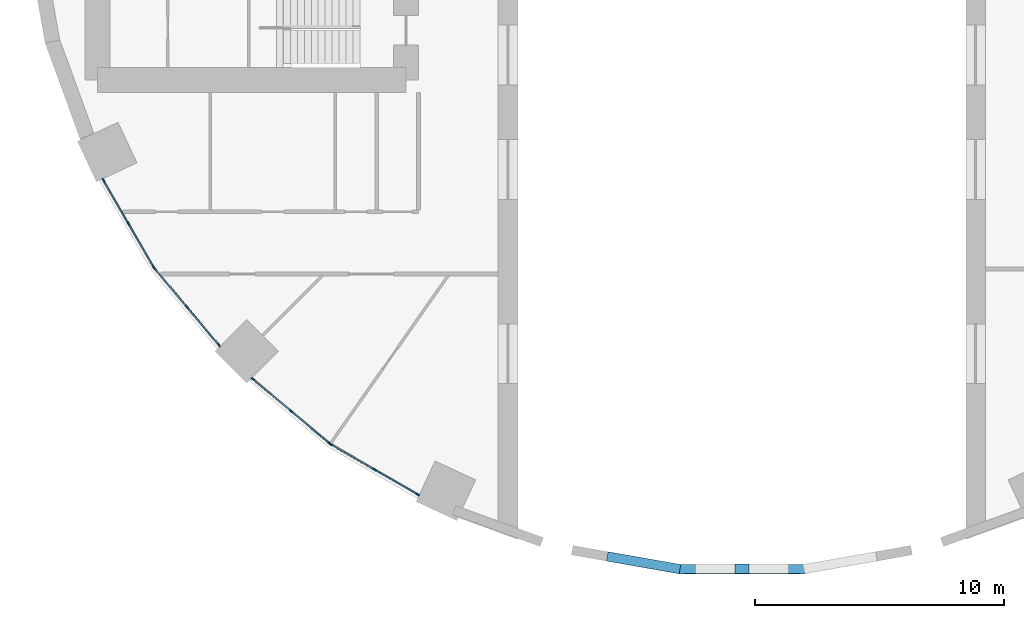
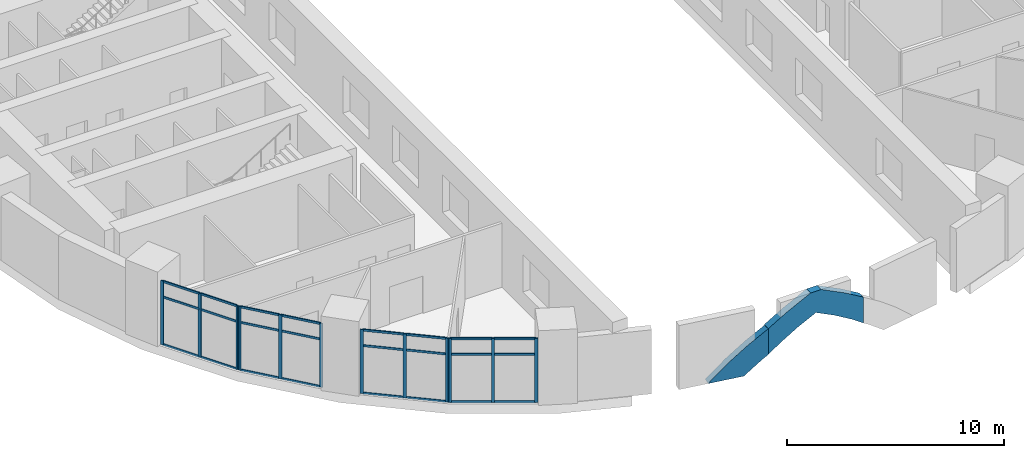
# One storey, part 2 of 15: 38 members, 4 elements without a shape of their own.
"""IFC4 building model written with IfcOpenShell, lengths in metres."""

from ifc_helpers import new_model, si_unit, direction, frame, origin, origin_2d, place, context, subcontext, project, spatial, polyline, rectangle, hollow_rectangle, outline, extrude, material, layer, layer_set, material_profile, profile_set, type_object, element, aggregate, save


model = new_model("IFC4")

# Units and contexts
model_context = context("Model", 3, precision=1e-05, world=origin(), true_north=direction((0.0, 1.0)))
body_context = subcontext(model_context, "Body", "Model", "MODEL_VIEW")
ifc_project = project(units=[si_unit("LENGTHUNIT", "METRE"), si_unit("AREAUNIT", "SQUARE_METRE"), si_unit("VOLUMEUNIT", "CUBIC_METRE"), si_unit("PLANEANGLEUNIT", "RADIAN"), si_unit("MASSUNIT", "GRAM", prefix="KILO")], contexts=[model_context])

# Site, building, storey
site_placement = place(None, origin())
site = spatial("IfcSite", under=ifc_project, at=site_placement, CompositionType="ELEMENT")
building_placement = place(site_placement, origin())
building = spatial("IfcBuilding", under=site, at=building_placement, Name="Saqina Gate Tower", CompositionType="ELEMENT")
storey_placement = place(building_placement, frame((0.0, 0.0, 17.60009765625)))
storey = spatial("IfcBuildingStorey", under=building, at=storey_placement, Name="L04", CompositionType="ELEMENT", Elevation=17.60009765625)

# Curtain wall, members
ifc_material_1 = material(Name="Aluminium glazing", Category="aluminium")
ifc_layer = layer(ifc_material_1, 0.159912109375)
ifc_layer_set = layer_set([ifc_layer], Name="CWT-1")
curtain_wall_type = type_object("IfcCurtainWallType", Name="CWT-1", PredefinedType="NOTDEFINED", material=ifc_layer_set)
curtain_wall_1_placement = place(storey_placement, origin())
curtain_wall_1 = element("IfcCurtainWall", 1, at=curtain_wall_1_placement, inside=storey, type_object=curtain_wall_type, Name="Podium shopfront facet 21", PredefinedType="NOTDEFINED")
ifc_material_2 = material(Name="Aluminium", Category="aluminium")
ifc_material_profile_1 = material_profile(ifc_material_2, rectangle(XDim=0.06005859375, YDim=0.159912109375, at=origin_2d()), Name="Aluminium 60x160")
ifc_profile_set_1 = profile_set([ifc_material_profile_1], Name="Aluminium")
member_type_1 = type_object("IfcMemberType", Name="CWT-1M", PredefinedType="MULLION", material=ifc_profile_set_1)
member_1_placement = place(storey_placement, frame((-25.66015625, -13.03466796875, 0.0), z_axis=(0.0, 0.0, 1.0), x_axis=(0.866017381415, 0.500013894893, 0.0)))
member_1 = element("IfcMember", 2, at=member_1_placement, type_object=member_type_1, Name="CW1-21 mullion 1", PredefinedType="MULLION", context=body_context, shape_type="SweptSolid", body=[
    extrude(rectangle(XDim=0.06005859375, YDim=0.159912109375, at=origin_2d()), origin(), (0.0, 0.0, 1.0), 3.599853515625),
])
member_2_placement = place(storey_placement, frame((-24.65771484375, -14.770751953125, 0.0), z_axis=(0.0, 0.0, 1.0), x_axis=(0.866017381415, 0.500013894893, 0.0)))
member_2 = element("IfcMember", 3, at=member_2_placement, type_object=member_type_1, Name="CW1-21 mullion 2", PredefinedType="MULLION", context=body_context, shape_type="SweptSolid", body=[
    extrude(rectangle(XDim=0.06005859375, YDim=0.159912109375, at=origin_2d()), origin(), (0.0, 0.0, 1.0), 3.599853515625),
])
member_3_placement = place(storey_placement, frame((-23.655517578125, -16.5068359375, 0.0), z_axis=(0.0, 0.0, 1.0), x_axis=(0.866017381415, 0.500013894893, 0.0)))
member_3 = element("IfcMember", 4, at=member_3_placement, type_object=member_type_1, Name="CW1-21 mullion 3", PredefinedType="MULLION", context=body_context, shape_type="SweptSolid", body=[
    extrude(rectangle(XDim=0.06005859375, YDim=0.159912109375, at=origin_2d()), origin(), (0.0, 0.0, 1.0), 3.599853515625),
])

curtain_wall_2_placement = place(storey_placement, origin())
curtain_wall_2 = element("IfcCurtainWall", 5, at=curtain_wall_2_placement, inside=storey, type_object=curtain_wall_type, Name="Podium shopfront facet 22", PredefinedType="NOTDEFINED")
member_4_placement = place(storey_placement, frame((-23.601806640625, -16.583251953125, 0.0), z_axis=(0.0, 0.0, 1.0), x_axis=(0.766051396473, 0.642779322911, 0.0)))
member_4 = element("IfcMember", 6, at=member_4_placement, type_object=member_type_1, Name="CW1-22 mullion 1", PredefinedType="MULLION", context=body_context, shape_type="SweptSolid", body=[
    extrude(rectangle(XDim=0.06005859375, YDim=0.159912109375, at=origin_2d()), origin(), (0.0, 0.0, 1.0), 3.599853515625),
])
member_5_placement = place(storey_placement, frame((-22.3134765625, -18.118896484375, 0.0), z_axis=(0.0, 0.0, 1.0), x_axis=(0.766051396473, 0.642779322911, 0.0)))
member_5 = element("IfcMember", 7, at=member_5_placement, type_object=member_type_1, Name="CW1-22 mullion 2", PredefinedType="MULLION", context=body_context, shape_type="SweptSolid", body=[
    extrude(rectangle(XDim=0.06005859375, YDim=0.159912109375, at=origin_2d()), origin(), (0.0, 0.0, 1.0), 3.599853515625),
])
member_6_placement = place(storey_placement, frame((-21.02490234375, -19.654296875, 0.0), z_axis=(0.0, 0.0, 1.0), x_axis=(0.766051396473, 0.642779322911, 0.0)))
member_6 = element("IfcMember", 8, at=member_6_placement, type_object=member_type_1, Name="CW1-22 mullion 3", PredefinedType="MULLION", context=body_context, shape_type="SweptSolid", body=[
    extrude(rectangle(XDim=0.06005859375, YDim=0.159912109375, at=origin_2d()), origin(), (0.0, 0.0, 1.0), 3.599853515625),
])

curtain_wall_3_placement = place(storey_placement, origin())
curtain_wall_3 = element("IfcCurtainWall", 9, at=curtain_wall_3_placement, inside=storey, type_object=curtain_wall_type, Name="Podium shopfront facet 23", PredefinedType="NOTDEFINED")
member_7_placement = place(storey_placement, frame((-19.654296875, -21.02490234375, 0.0), z_axis=(0.0, 0.0, 1.0), x_axis=(0.642779322911, 0.766051396473, 0.0)))
member_7 = element("IfcMember", 10, at=member_7_placement, type_object=member_type_1, Name="CW1-23 mullion 1", PredefinedType="MULLION", context=body_context, shape_type="SweptSolid", body=[
    extrude(rectangle(XDim=0.06005859375, YDim=0.159912109375, at=origin_2d()), origin(), (0.0, 0.0, 1.0), 3.599853515625),
])
member_8_placement = place(storey_placement, frame((-18.118896484375, -22.3134765625, 0.0), z_axis=(0.0, 0.0, 1.0), x_axis=(0.642779322911, 0.766051396473, 0.0)))
member_8 = element("IfcMember", 11, at=member_8_placement, type_object=member_type_1, Name="CW1-23 mullion 2", PredefinedType="MULLION", context=body_context, shape_type="SweptSolid", body=[
    extrude(rectangle(XDim=0.06005859375, YDim=0.159912109375, at=origin_2d()), origin(), (0.0, 0.0, 1.0), 3.599853515625),
])
member_9_placement = place(storey_placement, frame((-16.583251953125, -23.601806640625, 0.0), z_axis=(0.0, 0.0, 1.0), x_axis=(0.642779322911, 0.766051396473, 0.0)))
member_9 = element("IfcMember", 12, at=member_9_placement, type_object=member_type_1, Name="CW1-23 mullion 3", PredefinedType="MULLION", context=body_context, shape_type="SweptSolid", body=[
    extrude(rectangle(XDim=0.06005859375, YDim=0.159912109375, at=origin_2d()), origin(), (0.0, 0.0, 1.0), 3.599853515625),
])

curtain_wall_4_placement = place(storey_placement, origin())
curtain_wall_4 = element("IfcCurtainWall", 13, at=curtain_wall_4_placement, inside=storey, type_object=curtain_wall_type, Name="Podium shopfront facet 24", PredefinedType="NOTDEFINED")
member_10_placement = place(storey_placement, frame((-16.5068359375, -23.655517578125, 0.0), z_axis=(0.0, 0.0, 1.0), x_axis=(0.500013894893, 0.866017381415, 0.0)))
member_10 = element("IfcMember", 14, at=member_10_placement, type_object=member_type_1, Name="CW1-24 mullion 1", PredefinedType="MULLION", context=body_context, shape_type="SweptSolid", body=[
    extrude(rectangle(XDim=0.06005859375, YDim=0.159912109375, at=origin_2d()), origin(), (0.0, 0.0, 1.0), 3.599853515625),
])
member_11_placement = place(storey_placement, frame((-14.770751953125, -24.65771484375, 0.0), z_axis=(0.0, 0.0, 1.0), x_axis=(0.500013894893, 0.866017381415, 0.0)))
member_11 = element("IfcMember", 15, at=member_11_placement, type_object=member_type_1, Name="CW1-24 mullion 2", PredefinedType="MULLION", context=body_context, shape_type="SweptSolid", body=[
    extrude(rectangle(XDim=0.06005859375, YDim=0.159912109375, at=origin_2d()), origin(), (0.0, 0.0, 1.0), 3.599853515625),
])
member_12_placement = place(storey_placement, frame((-13.03466796875, -25.66015625, 0.0), z_axis=(0.0, 0.0, 1.0), x_axis=(0.500013894893, 0.866017381415, 0.0)))
member_12 = element("IfcMember", 16, at=member_12_placement, type_object=member_type_1, Name="CW1-24 mullion 3", PredefinedType="MULLION", context=body_context, shape_type="SweptSolid", body=[
    extrude(rectangle(XDim=0.06005859375, YDim=0.159912109375, at=origin_2d()), origin(), (0.0, 0.0, 1.0), 3.599853515625),
])

# Member
ifc_material_3 = material(Name="Aluminium", Category="aluminium")
ifc_material_profile_2 = material_profile(ifc_material_3, rectangle(XDim=0.06005859375, YDim=0.1201171875, at=origin_2d()), Name="Aluminium 60x120")
ifc_profile_set_2 = profile_set([ifc_material_profile_2], Name="Aluminium")
member_type_2 = type_object("IfcMemberType", Name="CWT-1T", PredefinedType="USERDEFINED", material=ifc_profile_set_2)
member_13_placement = place(storey_placement, frame((-25.64501953125, -13.060791015625, 0.02978515625), z_axis=(0.499947064232, -0.866055964107, 0.0), x_axis=(0.866055964107, 0.499947064232, 0.0)))
member_13 = element("IfcMember", 17, at=member_13_placement, type_object=member_type_2, Name="CW1-21 transom 1.1", ObjectType="TRANSOM", PredefinedType="USERDEFINED", context=body_context, shape_type="SweptSolid", body=[
    extrude(rectangle(XDim=0.06005859375, YDim=0.1201171875, at=origin_2d()), origin(), (0.0, 0.0, 1.0), 1.944580078125),
])

member_14_placement = place(storey_placement, frame((-25.64501953125, -13.060791015625, 2.699951171875), z_axis=(0.499947064232, -0.866055964107, 0.0), x_axis=(0.866055964107, 0.499947064232, 0.0)))
member_14 = element("IfcMember", 18, at=member_14_placement, type_object=member_type_2, Name="CW1-21 transom 1.2", ObjectType="TRANSOM", PredefinedType="USERDEFINED", context=body_context, shape_type="SweptSolid", body=[
    extrude(rectangle(XDim=0.06005859375, YDim=0.1201171875, at=origin_2d()), origin(), (0.0, 0.0, 1.0), 1.944580078125),
])

member_15_placement = place(storey_placement, frame((-25.64501953125, -13.060791015625, 3.56982421875), z_axis=(0.499947064232, -0.866055964107, 0.0), x_axis=(0.866055964107, 0.499947064232, 0.0)))
member_15 = element("IfcMember", 19, at=member_15_placement, type_object=member_type_2, Name="CW1-21 transom 1.3", ObjectType="TRANSOM", PredefinedType="USERDEFINED", context=body_context, shape_type="SweptSolid", body=[
    extrude(rectangle(XDim=0.06005859375, YDim=0.1201171875, at=origin_2d()), origin(), (0.0, 0.0, 1.0), 1.944580078125),
])

member_16_placement = place(storey_placement, frame((-24.642822265625, -14.796630859375, 0.02978515625), z_axis=(0.500041225824, -0.866001600736, 0.0), x_axis=(0.866001600736, 0.500041225824, 0.0)))
member_16 = element("IfcMember", 20, at=member_16_placement, type_object=member_type_2, Name="CW1-21 transom 2.1", ObjectType="TRANSOM", PredefinedType="USERDEFINED", context=body_context, shape_type="SweptSolid", body=[
    extrude(rectangle(XDim=0.06005859375, YDim=0.1201171875, at=origin_2d()), origin(), (0.0, 0.0, 1.0), 1.944580078125),
])

member_17_placement = place(storey_placement, frame((-24.642822265625, -14.796630859375, 2.699951171875), z_axis=(0.500041225824, -0.866001600736, 0.0), x_axis=(0.866001600736, 0.500041225824, 0.0)))
member_17 = element("IfcMember", 21, at=member_17_placement, type_object=member_type_2, Name="CW1-21 transom 2.2", ObjectType="TRANSOM", PredefinedType="USERDEFINED", context=body_context, shape_type="SweptSolid", body=[
    extrude(rectangle(XDim=0.06005859375, YDim=0.1201171875, at=origin_2d()), origin(), (0.0, 0.0, 1.0), 1.944580078125),
])

member_18_placement = place(storey_placement, frame((-24.642822265625, -14.796630859375, 3.56982421875), z_axis=(0.500041225824, -0.866001600736, 0.0), x_axis=(0.866001600736, 0.500041225824, 0.0)))
member_18 = element("IfcMember", 22, at=member_18_placement, type_object=member_type_2, Name="CW1-21 transom 2.3", ObjectType="TRANSOM", PredefinedType="USERDEFINED", context=body_context, shape_type="SweptSolid", body=[
    extrude(rectangle(XDim=0.06005859375, YDim=0.1201171875, at=origin_2d()), origin(), (0.0, 0.0, 1.0), 1.944580078125),
])

aggregate(curtain_wall_1, [member_1, member_2, member_3, member_13, member_14, member_15, member_16, member_17, member_18])

member_19_placement = place(storey_placement, frame((-23.58251953125, -16.606201171875, 0.02978515625), z_axis=(0.642700228444, -0.766117756196, 0.0), x_axis=(0.766117756196, 0.642700228444, 0.0)))
member_19 = element("IfcMember", 23, at=member_19_placement, type_object=member_type_2, Name="CW1-22 transom 1.1", ObjectType="TRANSOM", PredefinedType="USERDEFINED", context=body_context, shape_type="SweptSolid", body=[
    extrude(rectangle(XDim=0.06005859375, YDim=0.1201171875, at=origin_2d()), origin(), (0.0, 0.0, 1.0), 1.944580078125),
])

member_20_placement = place(storey_placement, frame((-23.58251953125, -16.606201171875, 2.699951171875), z_axis=(0.642700228444, -0.766117756196, 0.0), x_axis=(0.766117756196, 0.642700228444, 0.0)))
member_20 = element("IfcMember", 24, at=member_20_placement, type_object=member_type_2, Name="CW1-22 transom 1.2", ObjectType="TRANSOM", PredefinedType="USERDEFINED", context=body_context, shape_type="SweptSolid", body=[
    extrude(rectangle(XDim=0.06005859375, YDim=0.1201171875, at=origin_2d()), origin(), (0.0, 0.0, 1.0), 1.944580078125),
])

member_21_placement = place(storey_placement, frame((-23.58251953125, -16.606201171875, 3.56982421875), z_axis=(0.642700228444, -0.766117756196, 0.0), x_axis=(0.766117756196, 0.642700228444, 0.0)))
member_21 = element("IfcMember", 25, at=member_21_placement, type_object=member_type_2, Name="CW1-22 transom 1.3", ObjectType="TRANSOM", PredefinedType="USERDEFINED", context=body_context, shape_type="SweptSolid", body=[
    extrude(rectangle(XDim=0.06005859375, YDim=0.1201171875, at=origin_2d()), origin(), (0.0, 0.0, 1.0), 1.944580078125),
])

member_22_placement = place(storey_placement, frame((-22.294189453125, -18.141845703125, 0.02978515625), z_axis=(0.642835731235, -0.76600406177, 0.0), x_axis=(0.76600406177, 0.642835731235, 0.0)))
member_22 = element("IfcMember", 26, at=member_22_placement, type_object=member_type_2, Name="CW1-22 transom 2.1", ObjectType="TRANSOM", PredefinedType="USERDEFINED", context=body_context, shape_type="SweptSolid", body=[
    extrude(rectangle(XDim=0.06005859375, YDim=0.1201171875, at=origin_2d()), origin(), (0.0, 0.0, 1.0), 1.944580078125),
])

member_23_placement = place(storey_placement, frame((-22.294189453125, -18.141845703125, 2.699951171875), z_axis=(0.642835731235, -0.76600406177, 0.0), x_axis=(0.76600406177, 0.642835731235, 0.0)))
member_23 = element("IfcMember", 27, at=member_23_placement, type_object=member_type_2, Name="CW1-22 transom 2.2", ObjectType="TRANSOM", PredefinedType="USERDEFINED", context=body_context, shape_type="SweptSolid", body=[
    extrude(rectangle(XDim=0.06005859375, YDim=0.1201171875, at=origin_2d()), origin(), (0.0, 0.0, 1.0), 1.944580078125),
])

member_24_placement = place(storey_placement, frame((-22.294189453125, -18.141845703125, 3.56982421875), z_axis=(0.642835731235, -0.76600406177, 0.0), x_axis=(0.76600406177, 0.642835731235, 0.0)))
member_24 = element("IfcMember", 28, at=member_24_placement, type_object=member_type_2, Name="CW1-22 transom 2.3", ObjectType="TRANSOM", PredefinedType="USERDEFINED", context=body_context, shape_type="SweptSolid", body=[
    extrude(rectangle(XDim=0.06005859375, YDim=0.1201171875, at=origin_2d()), origin(), (0.0, 0.0, 1.0), 1.944580078125),
])

aggregate(curtain_wall_2, [member_4, member_5, member_6, member_19, member_20, member_21, member_22, member_23, member_24])

member_25_placement = place(storey_placement, frame((-19.63134765625, -21.044189453125, 0.02978515625), z_axis=(0.76600406177, -0.642835731235, 0.0), x_axis=(0.642835731235, 0.76600406177, 0.0)))
member_25 = element("IfcMember", 29, at=member_25_placement, type_object=member_type_2, Name="CW1-23 transom 1.1", ObjectType="TRANSOM", PredefinedType="USERDEFINED", context=body_context, shape_type="SweptSolid", body=[
    extrude(rectangle(XDim=0.06005859375, YDim=0.1201171875, at=origin_2d()), origin(), (0.0, 0.0, 1.0), 1.944580078125),
])

member_26_placement = place(storey_placement, frame((-19.63134765625, -21.044189453125, 2.699951171875), z_axis=(0.76600406177, -0.642835731235, 0.0), x_axis=(0.642835731235, 0.76600406177, 0.0)))
member_26 = element("IfcMember", 30, at=member_26_placement, type_object=member_type_2, Name="CW1-23 transom 1.2", ObjectType="TRANSOM", PredefinedType="USERDEFINED", context=body_context, shape_type="SweptSolid", body=[
    extrude(rectangle(XDim=0.06005859375, YDim=0.1201171875, at=origin_2d()), origin(), (0.0, 0.0, 1.0), 1.944580078125),
])

member_27_placement = place(storey_placement, frame((-19.63134765625, -21.044189453125, 3.56982421875), z_axis=(0.76600406177, -0.642835731235, 0.0), x_axis=(0.642835731235, 0.76600406177, 0.0)))
member_27 = element("IfcMember", 31, at=member_27_placement, type_object=member_type_2, Name="CW1-23 transom 1.3", ObjectType="TRANSOM", PredefinedType="USERDEFINED", context=body_context, shape_type="SweptSolid", body=[
    extrude(rectangle(XDim=0.06005859375, YDim=0.1201171875, at=origin_2d()), origin(), (0.0, 0.0, 1.0), 1.944580078125),
])

member_28_placement = place(storey_placement, frame((-18.095947265625, -22.332763671875, 0.02978515625), z_axis=(0.766117756196, -0.642700228444, 0.0), x_axis=(0.642700228444, 0.766117756196, 0.0)))
member_28 = element("IfcMember", 32, at=member_28_placement, type_object=member_type_2, Name="CW1-23 transom 2.1", ObjectType="TRANSOM", PredefinedType="USERDEFINED", context=body_context, shape_type="SweptSolid", body=[
    extrude(rectangle(XDim=0.06005859375, YDim=0.1201171875, at=origin_2d()), origin(), (0.0, 0.0, 1.0), 1.944580078125),
])

member_29_placement = place(storey_placement, frame((-18.095947265625, -22.332763671875, 2.699951171875), z_axis=(0.766117756196, -0.642700228444, 0.0), x_axis=(0.642700228444, 0.766117756196, 0.0)))
member_29 = element("IfcMember", 33, at=member_29_placement, type_object=member_type_2, Name="CW1-23 transom 2.2", ObjectType="TRANSOM", PredefinedType="USERDEFINED", context=body_context, shape_type="SweptSolid", body=[
    extrude(rectangle(XDim=0.06005859375, YDim=0.1201171875, at=origin_2d()), origin(), (0.0, 0.0, 1.0), 1.944580078125),
])

member_30_placement = place(storey_placement, frame((-18.095947265625, -22.332763671875, 3.56982421875), z_axis=(0.766117756196, -0.642700228444, 0.0), x_axis=(0.642700228444, 0.766117756196, 0.0)))
member_30 = element("IfcMember", 34, at=member_30_placement, type_object=member_type_2, Name="CW1-23 transom 2.3", ObjectType="TRANSOM", PredefinedType="USERDEFINED", context=body_context, shape_type="SweptSolid", body=[
    extrude(rectangle(XDim=0.06005859375, YDim=0.1201171875, at=origin_2d()), origin(), (0.0, 0.0, 1.0), 1.944580078125),
])

aggregate(curtain_wall_3, [member_7, member_8, member_9, member_25, member_26, member_27, member_28, member_29, member_30])

member_31_placement = place(storey_placement, frame((-16.480712890625, -23.67041015625, 0.02978515625), z_axis=(0.866001600736, -0.500041225824, 0.0), x_axis=(0.500041225824, 0.866001600736, 0.0)))
member_31 = element("IfcMember", 35, at=member_31_placement, type_object=member_type_2, Name="CW1-24 transom 1.1", ObjectType="TRANSOM", PredefinedType="USERDEFINED", context=body_context, shape_type="SweptSolid", body=[
    extrude(rectangle(XDim=0.06005859375, YDim=0.1201171875, at=origin_2d()), origin(), (0.0, 0.0, 1.0), 1.944580078125),
])

member_32_placement = place(storey_placement, frame((-16.480712890625, -23.67041015625, 2.699951171875), z_axis=(0.866001600736, -0.500041225824, 0.0), x_axis=(0.500041225824, 0.866001600736, 0.0)))
member_32 = element("IfcMember", 36, at=member_32_placement, type_object=member_type_2, Name="CW1-24 transom 1.2", ObjectType="TRANSOM", PredefinedType="USERDEFINED", context=body_context, shape_type="SweptSolid", body=[
    extrude(rectangle(XDim=0.06005859375, YDim=0.1201171875, at=origin_2d()), origin(), (0.0, 0.0, 1.0), 1.944580078125),
])

member_33_placement = place(storey_placement, frame((-16.480712890625, -23.67041015625, 3.56982421875), z_axis=(0.866001600736, -0.500041225824, 0.0), x_axis=(0.500041225824, 0.866001600736, 0.0)))
member_33 = element("IfcMember", 37, at=member_33_placement, type_object=member_type_2, Name="CW1-24 transom 1.3", ObjectType="TRANSOM", PredefinedType="USERDEFINED", context=body_context, shape_type="SweptSolid", body=[
    extrude(rectangle(XDim=0.06005859375, YDim=0.1201171875, at=origin_2d()), origin(), (0.0, 0.0, 1.0), 1.944580078125),
])

member_34_placement = place(storey_placement, frame((-14.744873046875, -24.6728515625, 0.02978515625), z_axis=(0.866055964107, -0.499947064232, 0.0), x_axis=(0.499947064232, 0.866055964107, 0.0)))
member_34 = element("IfcMember", 38, at=member_34_placement, type_object=member_type_2, Name="CW1-24 transom 2.1", ObjectType="TRANSOM", PredefinedType="USERDEFINED", context=body_context, shape_type="SweptSolid", body=[
    extrude(rectangle(XDim=0.06005859375, YDim=0.1201171875, at=origin_2d()), origin(), (0.0, 0.0, 1.0), 1.944580078125),
])

member_35_placement = place(storey_placement, frame((-14.744873046875, -24.6728515625, 2.699951171875), z_axis=(0.866055964107, -0.499947064232, 0.0), x_axis=(0.499947064232, 0.866055964107, 0.0)))
member_35 = element("IfcMember", 39, at=member_35_placement, type_object=member_type_2, Name="CW1-24 transom 2.2", ObjectType="TRANSOM", PredefinedType="USERDEFINED", context=body_context, shape_type="SweptSolid", body=[
    extrude(rectangle(XDim=0.06005859375, YDim=0.1201171875, at=origin_2d()), origin(), (0.0, 0.0, 1.0), 1.944580078125),
])

member_36_placement = place(storey_placement, frame((-14.744873046875, -24.6728515625, 3.56982421875), z_axis=(0.866055964107, -0.499947064232, 0.0), x_axis=(0.499947064232, 0.866055964107, 0.0)))
member_36 = element("IfcMember", 40, at=member_36_placement, type_object=member_type_2, Name="CW1-24 transom 2.3", ObjectType="TRANSOM", PredefinedType="USERDEFINED", context=body_context, shape_type="SweptSolid", body=[
    extrude(rectangle(XDim=0.06005859375, YDim=0.1201171875, at=origin_2d()), origin(), (0.0, 0.0, 1.0), 1.944580078125),
])

aggregate(curtain_wall_4, [member_10, member_11, member_12, member_31, member_32, member_33, member_34, member_35, member_36])

# Members
ifc_material_4 = material(Name="Steel S355", Category="steel")
ifc_material_profile_3 = material_profile(ifc_material_4, hollow_rectangle(XDim=1.199951171875, YDim=0.3798828125, WallThickness=0.030029296875, at=origin_2d()), Name="BOX 1200x380x30")
ifc_profile_set_3 = profile_set([ifc_material_profile_3], Name="Steel S355")
member_type_3 = type_object("IfcMemberType", Name="STR-ARCH RIB-BOX 1200x380x30", PredefinedType="USERDEFINED", material=ifc_profile_set_3)
member_37_placement = place(storey_placement, frame((-2.52099609375, -28.85302734375, 0.931640625), z_axis=(-0.173624877062, -0.984809886159, 0.001972356316), x_axis=(-0.813463940403, 0.142286631596, -0.563942312771)))
element("IfcMember", 41, at=member_37_placement, inside=storey, type_object=member_type_3, Name="ARCH RIB S L04 facet 26", ObjectType="ARCH RIB", PredefinedType="USERDEFINED", context=body_context, shape_type="SweptSolid", body=[
    extrude(outline(polyline([(0.0, 0.0), (0.3727423692217704, -5.551115123125783e-17), (1.4791039622036894, 0.07935128362839805), (1.5262097943082011, 0.08591130368124933), (2.9760798208700585, -0.9041971292877036), (2.7887768253416274, -0.9450974426520226), (1.6072857764133097, -1.114753400280137), (0.41589572596462443, -1.199896361735033), (-0.7795187067650671, -1.2004001160396678), (-0.817841580271216, -1.1975846640033412), (0.0, 0.0)])), origin(), (0.0, 0.0, -1.0), 0.3798828125),
])
member_38_placement = place(storey_placement, frame((2.527587890625, -28.8525390625, 0.931640625), z_axis=(0.0, -0.999998030478, 0.001984701459), x_axis=(-0.821565333057, 0.001131506837, 0.570113254723)))
element("IfcMember", 42, at=member_38_placement, inside=storey, type_object=member_type_3, Name="ARCH RIB S L04 facet 27", ObjectType="ARCH RIB", PredefinedType="USERDEFINED", context=body_context, shape_type="SweptSolid", body=[
    extrude(outline(polyline([(0.0, 0.0), (0.7301348918810602, -5.551115123125783e-17), (1.8260076900714919, 0.07847067308056666), (2.913657369415937, 0.23473886779544006), (3.4406563548935267, 1.1989347208061822), (3.897654359566722, 2.198058166668685), (4.153157174385721, 2.8820283940629303), (4.983137378486027, 1.685982495848215), (4.514232041082792, 0.6607668272144203), (3.8306386471774236, -0.5895040941951688), (3.36489775280267, -0.912698817029812), (1.9544623192866664, -1.1155514556519524), (0.8299802041003059, -1.1960458982147153), (0.0, 0.0)])), origin(), (0.0, 0.0, -1.0), 0.3798828125),
])

save(model, "model.ifc")
